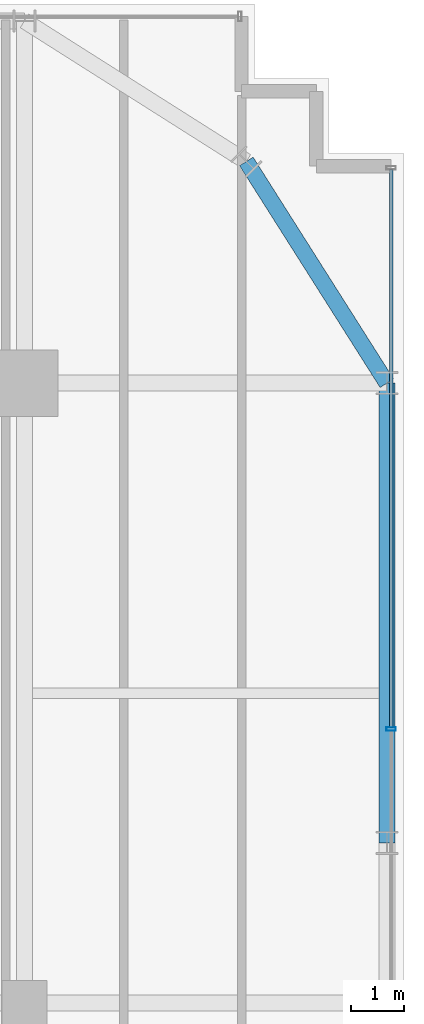
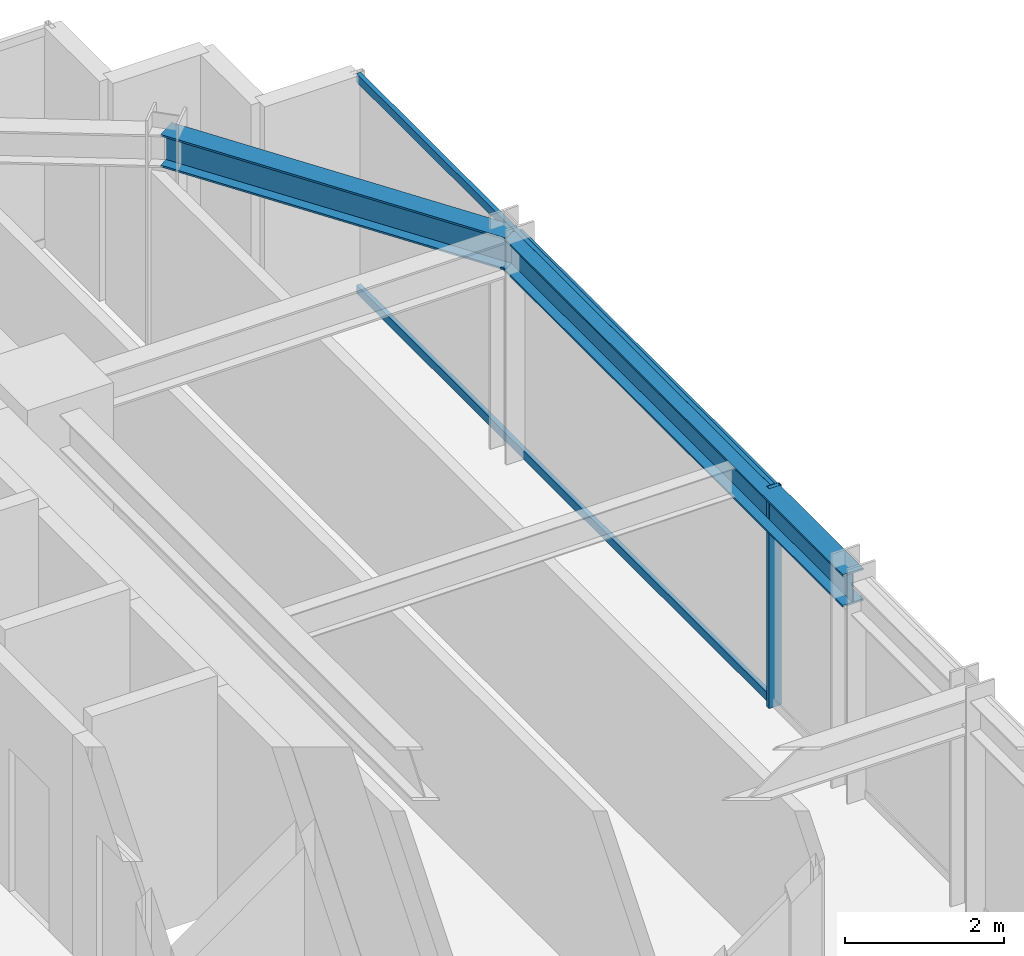
# One storey, part 22 of 32: 3 members, 2 beams, 1 element without a shape of its own.
"""IFC4 building model written with IfcOpenShell, lengths in metres."""

from ifc_helpers import new_model, si_unit, direction, frame, origin, origin_2d, place, context, subcontext, project, spatial, hollow_rectangle, i_section, extrude, source, transform, mapped, material, material_profile, profile_set, type_object, element, aggregate, save


model = new_model("IFC4")

# Units and contexts
model_context = context("Model", 3, precision=1e-05, world=origin(), true_north=direction((0.0, 1.0)))
body_context = subcontext(model_context, "Body", "Model", "MODEL_VIEW")
ifc_project = project(units=[si_unit("LENGTHUNIT", "METRE"), si_unit("AREAUNIT", "SQUARE_METRE"), si_unit("VOLUMEUNIT", "CUBIC_METRE"), si_unit("PLANEANGLEUNIT", "RADIAN"), si_unit("MASSUNIT", "GRAM", prefix="KILO")], contexts=[model_context])

# Site, building, storey
site_placement = place(None, origin())
site = spatial("IfcSite", under=ifc_project, at=site_placement, CompositionType="ELEMENT")
building_placement = place(site_placement, origin())
building = spatial("IfcBuilding", under=site, at=building_placement, Name="Nahalor Promenade Grand Hotel", CompositionType="ELEMENT")
storey_placement = place(building_placement, frame((0.0, 0.0, 124.800048828125)))
storey = spatial("IfcBuildingStorey", under=building, at=storey_placement, Name="L31", CompositionType="ELEMENT", Elevation=124.800048828125)

# Beams
ifc_material_1 = material(Name="Steel S355JR", Category="steel")
ifc_material_profile_1 = material_profile(ifc_material_1, i_section(OverallWidth=0.3, OverallDepth=0.5, WebThickness=0.0145, FlangeThickness=0.028, at=origin_2d()), Name="HEB 500")
ifc_profile_set_1 = profile_set([ifc_material_profile_1], Name="Steel S355JR")
beam_type = type_object("IfcBeamType", Name="Beam-Spandrel-HEB500", PredefinedType="SPANDREL", material=ifc_profile_set_1)
shared_shape_1 = source(origin(), body_context, "Body", "SweptSolid", [
    extrude(i_section(OverallWidth=0.3, OverallDepth=0.5, WebThickness=0.0145, FlangeThickness=0.028, at=origin_2d()), origin(), (0.0, 0.0, 1.0), 8.60009765625),
])
beam_1_placement = place(storey_placement, frame((23.780029296875, 8.39990234375, 3.1298828125), z_axis=(0.0, 1.0, 0.0), x_axis=(-1.0, 0.0, 0.0)))
element("IfcBeam", 1, at=beam_1_placement, inside=storey, type_object=beam_type, Name="BM-L31-SP-E-4", PredefinedType="SPANDREL", context=body_context, shape_type="MappedRepresentation", body=[
    mapped(shared_shape_1, transform((0.0, 0.0, 0.0), scale=1.0)),
])
shared_shape_2 = source(origin(), body_context, "Body", "SweptSolid", [
    extrude(i_section(OverallWidth=0.3, OverallDepth=0.5, WebThickness=0.0145, FlangeThickness=0.028, at=origin_2d()), origin(), (0.0, 0.0, 1.0), 4.9130859375),
])
beam_2_placement = place(storey_placement, frame((21.14990234375, 21.14990234375, 3.1298828125), z_axis=(0.535321591403, -0.844648325505, 0.0), x_axis=(0.844648325505, 0.535321591403, 0.0)))
element("IfcBeam", 2, at=beam_2_placement, inside=storey, type_object=beam_type, Name="BM-L31-SPC-NE-2", PredefinedType="SPANDREL", context=body_context, shape_type="MappedRepresentation", body=[
    mapped(shared_shape_2, transform((0.0, 0.0, 0.0), scale=1.0)),
])

# Curtain wall, members
ifc_material_2 = material(Name="Anodised Bronze Aluminium EN AW-6063 T6", Category="aluminium")
curtain_wall_type = type_object("IfcCurtainWallType", Name="CW2 Typical Hotel Flush Bronze Unitised Curtain Wall", PredefinedType="USERDEFINED", material=ifc_material_2)
curtain_wall_placement = place(storey_placement, origin())
curtain_wall = element("IfcCurtainWall", 3, at=curtain_wall_placement, inside=storey, type_object=curtain_wall_type, Name="L31 Curtain Wall CW-L31-E-1", ObjectType="UNITISED_CURTAIN_WALL", PredefinedType="USERDEFINED")
ifc_material_profile_2 = material_profile(ifc_material_2, hollow_rectangle(XDim=0.065, YDim=0.18, WallThickness=0.004, at=origin_2d()), Name="CWM 65x180x4")
ifc_profile_set_2 = profile_set([ifc_material_profile_2], Name="Anodised Bronze Aluminium EN AW-6063 T6")
member_type_1 = type_object("IfcMemberType", Name="CWM2 Typical Bronze Mullion 65x180", PredefinedType="MULLION", material=ifc_profile_set_2)
shared_shape_3 = source(origin(), body_context, "Body", "SweptSolid", [
    extrude(hollow_rectangle(XDim=0.065, YDim=0.18, WallThickness=0.004, at=origin_2d()), origin(), (0.0, 0.0, 1.0), 3.3798828125),
])
member_1_placement = place(storey_placement, frame((23.860107421875, 10.530029296875, 0.0), z_axis=(0.0, 0.0, 1.0), x_axis=(0.0, 1.0, 0.0)))
member_1 = element("IfcMember", 4, at=member_1_placement, type_object=member_type_1, Name="CW-L31-E-1 Mullion 3", PredefinedType="MULLION", context=body_context, shape_type="MappedRepresentation", body=[
    mapped(shared_shape_3, transform((0.0, 0.0, 0.0), scale=1.0)),
])
ifc_material_profile_3 = material_profile(ifc_material_2, hollow_rectangle(XDim=0.065, YDim=0.13, WallThickness=0.004, at=origin_2d()), Name="CWT 65x130x4")
ifc_profile_set_3 = profile_set([ifc_material_profile_3], Name="Anodised Bronze Aluminium EN AW-6063 T6")
member_type_2 = type_object("IfcMemberType", Name="CWT2 Typical Bronze Transom 65x130", PredefinedType="USERDEFINED", material=ifc_profile_set_3)
shared_shape_4 = source(origin(), body_context, "Body", "SweptSolid", [
    extrude(hollow_rectangle(XDim=0.065, YDim=0.13, WallThickness=0.004, at=origin_2d()), origin(), (0.0, 0.0, 1.0), 10.4326171875),
])
member_2_placement = place(storey_placement, frame((23.860107421875, 10.5625, 0.06494140625), z_axis=(0.0, 1.0, 0.0), x_axis=(-1.0, 0.0, 0.0)))
member_2 = element("IfcMember", 5, at=member_2_placement, type_object=member_type_2, Name="CW-L31-E-1 Transom 3-0", ObjectType="TRANSOM", PredefinedType="USERDEFINED", context=body_context, shape_type="MappedRepresentation", body=[
    mapped(shared_shape_4, transform((0.0, 0.0, 0.0), scale=1.0)),
])
member_3_placement = place(storey_placement, frame((23.860107421875, 10.5625, 3.31494140625), z_axis=(0.0, 1.0, 0.0), x_axis=(-1.0, 0.0, 0.0)))
member_3 = element("IfcMember", 6, at=member_3_placement, type_object=member_type_2, Name="CW-L31-E-1 Transom 3-1", ObjectType="TRANSOM", PredefinedType="USERDEFINED", context=body_context, shape_type="MappedRepresentation", body=[
    mapped(shared_shape_4, transform((0.0, 0.0, 0.0), scale=1.0)),
])
aggregate(curtain_wall, [member_1, member_2, member_3])

save(model, "model.ifc")
